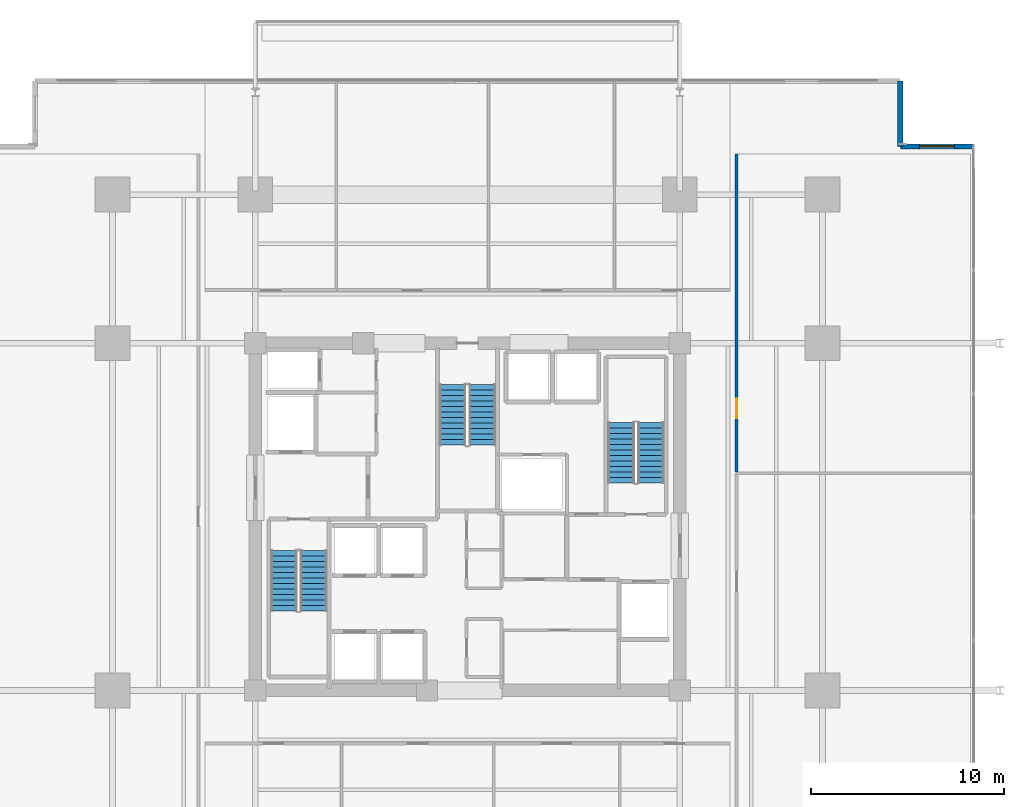
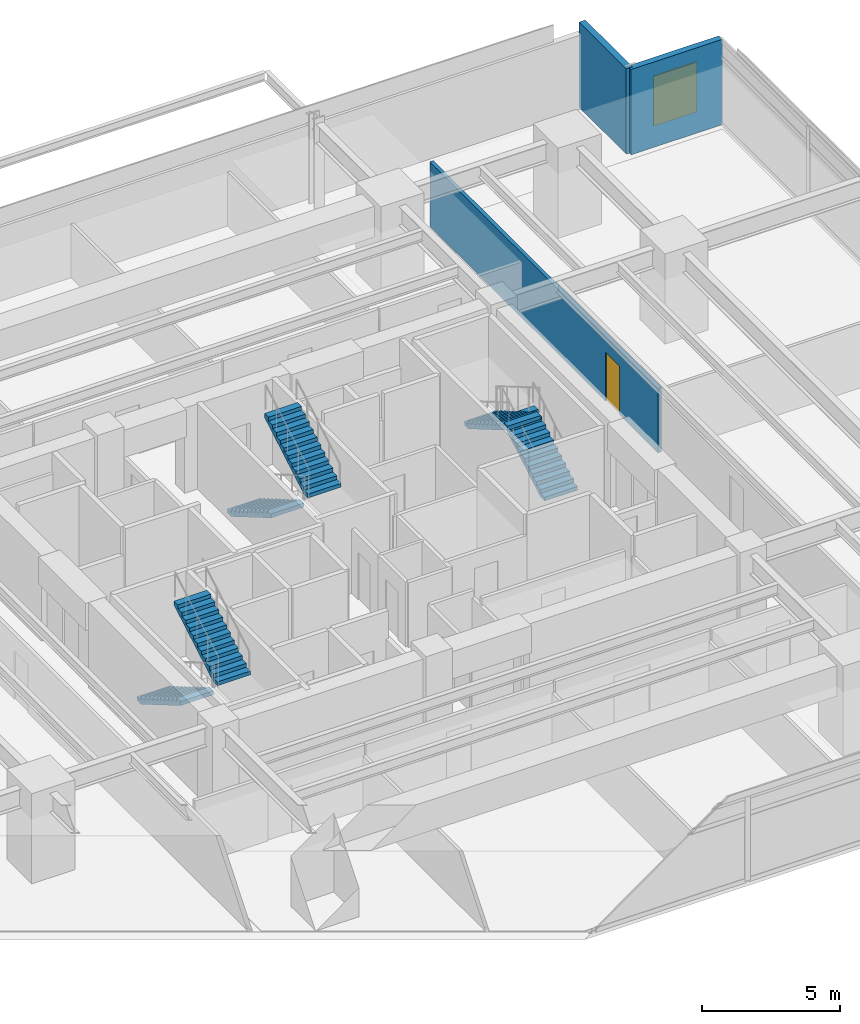
# One storey, part 18 of 22: 6 stair flights, 3 walls, 1 door, 1 window, 2 openings, 3 elements without a shape of their own.
"""IFC4 building model written with IfcOpenShell, lengths in metres."""

from ifc_helpers import new_model, si_unit, direction, frame, frame_2d, origin, place, context, subcontext, project, spatial, polyline, rectangle, outline, extrude, material, layer, layer_set, type_object, element, fill, aggregate, save


model = new_model("IFC4")

# Units and contexts
model_context = context("Model", 3, precision=1e-05, world=origin(), true_north=direction((0.0, 1.0)))
body_context = subcontext(model_context, "Body", "Model", "MODEL_VIEW")
ifc_project = project(units=[si_unit("LENGTHUNIT", "METRE"), si_unit("AREAUNIT", "SQUARE_METRE"), si_unit("VOLUMEUNIT", "CUBIC_METRE"), si_unit("PLANEANGLEUNIT", "RADIAN"), si_unit("MASSUNIT", "GRAM", prefix="KILO")], contexts=[model_context])

# Site, building, storey
site_placement = place(None, origin())
site = spatial("IfcSite", under=ifc_project, at=site_placement, CompositionType="ELEMENT")
building_placement = place(site_placement, origin())
building = spatial("IfcBuilding", under=site, at=building_placement, Name="Kovane Verandah Tower", CompositionType="ELEMENT")
storey_placement = place(building_placement, frame((0.0, 0.0, 79.60009765625)))
storey = spatial("IfcBuildingStorey", under=building, at=storey_placement, Name="L18", CompositionType="ELEMENT", Elevation=79.60009765625)

# Wall, opening, door
ifc_material_1 = material(Name="Fire-Rated Gypsum Stud Partition", Category="gypsum")
ifc_layer_1 = layer(ifc_material_1, 0.14990234375)
ifc_layer_set_1 = layer_set([ifc_layer_1], Name="Fire-Rated Gypsum Stud Partition")
wall_type_1 = type_object("IfcWallType", Name="WL-COR-150", PredefinedType="PARTITIONING", material=ifc_layer_set_1)
wall_1_placement = place(storey_placement, frame((53.949951171875, 29.825927734375, 0.0), z_axis=(0.0, 0.0, 1.0), x_axis=(0.0, 1.0, 0.0)))
wall_1 = element("IfcWall", 1, at=wall_1_placement, inside=storey, type_object=wall_type_1, Name="L18 Collaboration Hub E2 Corridor Partition", PredefinedType="PARTITIONING", context=body_context, shape_type="SweptSolid", body=[
    extrude(rectangle(XDim=16.47412109375, YDim=0.14990234375, at=frame_2d((8.237060546875, 0.0))), origin(), (0.0, 0.0, 1.0), 2.849853515625),
])
opening_1_placement = place(wall_1_placement, frame((2.787109375, 0.0, 0.0)))
opening_1 = element("IfcOpeningElement", 2, at=opening_1_placement, cuts=wall_1, Name="Opening DR-L18-013", PredefinedType="OPENING", context=body_context, shape_type="SweptSolid", body=[
    extrude(rectangle(XDim=1.0, YDim=2.14990234375, at=frame_2d((0.5, 1.074951171875))), frame((0.0, 0.074951171875, 0.0), z_axis=(0.0, -1.0, 0.0), x_axis=(1.0, 0.0, 0.0)), (0.0, 0.0, 1.0), 0.14990234375),
])
ifc_material_2 = material(Name="FSC Spotted-Gum Timber Fire-Rated Office Door", Category="wood")
door_type = type_object("IfcDoorType", Name="DR-OFF-1000", OperationType="SINGLE_SWING_LEFT", PredefinedType="DOOR", material=ifc_material_2)
door_placement = place(opening_1_placement, origin())
door = element("IfcDoor", 3, at=door_placement, inside=storey, type_object=door_type, Name="L18 Collaboration Hub E2 Entrance Door", OperationType="SINGLE_SWING_RIGHT", OverallHeight=2.14990234375, OverallWidth=1.0, PredefinedType="DOOR", context=body_context, shape_type="SweptSolid", body=[
    extrude(rectangle(XDim=1.0, YDim=2.14990234375, at=frame_2d((0.5, 1.074951171875))), frame((0.0, 0.02490234375, 0.0), z_axis=(0.0, -1.0, 0.0), x_axis=(1.0, 0.0, 0.0)), (0.0, 0.0, 1.0), 0.050048828125),
])
fill(opening_1, door)

# Wall, opening, window
ifc_material_3 = material(Name="Concrete C45/55 Insulated Spandrel Wall", Category="concrete")
ifc_layer_2 = layer(ifc_material_3, 0.260009765625)
ifc_layer_set_2 = layer_set([ifc_layer_2], Name="Concrete C45/55 Insulated Spandrel Wall")
wall_type_2 = type_object("IfcWallType", Name="WL-SPANDREL-260", PredefinedType="PARAPET", material=ifc_layer_set_2)
wall_2_placement = place(storey_placement, frame((66.228759765625, 46.7001953125, 0.0), z_axis=(0.0, 0.0, 1.0), x_axis=(-1.0, 0.0, 0.0)))
wall_2 = element("IfcWall", 4, at=wall_2_placement, inside=storey, type_object=wall_type_2, Name="L18 NE Notch Cheek Wall 1", PredefinedType="PARAPET", context=body_context, shape_type="SweptSolid", body=[
    extrude(rectangle(XDim=3.800048828125, YDim=0.260009765625, at=frame_2d((1.89990234375, 0.0))), origin(), (0.0, 0.0, 1.0), 3.760009765625),
])
opening_2_placement = place(wall_2_placement, frame((1.0, 0.0, 0.85009765625)))
opening_2 = element("IfcOpeningElement", 5, at=opening_2_placement, cuts=wall_2, Name="Opening W-03", PredefinedType="OPENING", context=body_context, shape_type="SweptSolid", body=[
    extrude(rectangle(XDim=1.800048828125, YDim=2.199951171875, at=frame_2d((0.89990234375, 1.10009765625))), frame((0.0, 0.1298828125, 0.0), z_axis=(0.0, -1.0, 0.0), x_axis=(1.0, 0.0, 0.0)), (0.0, 0.0, 1.0), 0.260009765625),
])
ifc_material_4 = material(Name="Clear Low-E Laminated Double Glazing in Anodised Frame", Category="glass")
window_type = type_object("IfcWindowType", Name="WN-NOTCH-1800x2200", PartitioningType="SINGLE_PANEL", PredefinedType="WINDOW", material=ifc_material_4)
window_placement = place(opening_2_placement, origin())
window = element("IfcWindow", 6, at=window_placement, inside=storey, type_object=window_type, Name="L18 NE Re-Entrant Corner Operable Window", OverallHeight=2.199951171875, OverallWidth=1.800048828125, PartitioningType="SINGLE_PANEL", PredefinedType="WINDOW", context=body_context, shape_type="SweptSolid", body=[
    extrude(rectangle(XDim=1.800048828125, YDim=2.199951171875, at=frame_2d((0.89990234375, 1.10009765625))), frame((0.0, 0.030029296875, 0.0), z_axis=(0.0, -1.0, 0.0), x_axis=(1.0, 0.0, 0.0)), (0.0, 0.0, 1.0), 0.06005859375),
])
fill(opening_2, window)

# Wall
wall_3_placement = place(storey_placement, frame((62.4287109375, 46.7001953125, 0.0), z_axis=(0.0, 0.0, 1.0), x_axis=(0.0, 1.0, 0.0)))
element("IfcWall", 7, at=wall_3_placement, inside=storey, type_object=wall_type_2, Name="L18 NE Notch Cheek Wall 2", PredefinedType="PARAPET", context=body_context, shape_type="SweptSolid", body=[
    extrude(rectangle(XDim=3.39990234375, YDim=0.260009765625, at=frame_2d((1.699951171875, 0.0))), origin(), (0.0, 0.0, 1.0), 3.760009765625),
])

# Stair, stair flights
ifc_material_5 = material(Name="Concrete C45/55", Category="concrete")
stair_type = type_object("IfcStairType", Name="ST-CORE-1380", PredefinedType="HALF_TURN_STAIR", material=ifc_material_5)
stair_1_placement = place(storey_placement, origin())
stair_1 = element("IfcStair", 8, at=stair_1_placement, inside=storey, type_object=stair_type, Name="L18 Exit Stair ST-01", PredefinedType="HALF_TURN_STAIR")
stair_flight_type = type_object("IfcStairFlightType", Name="STF-CORE-1380", PredefinedType="STRAIGHT", material=ifc_material_5)
stair_flight_1_placement = place(storey_placement, frame((30.489990234375, 25.75, 0.0), z_axis=(0.0, 0.0, 1.0), x_axis=(0.0, -1.0, 0.0)))
stair_flight_1 = element("IfcStairFlight", 9, at=stair_flight_1_placement, type_object=stair_flight_type, Name="ST-01 flight 1", NumberOfRisers=12, NumberOfTreads=11, PredefinedType="STRAIGHT", RiserHeight=0.166666667, TreadLength=0.285, context=body_context, shape_type="SweptSolid", body=[
    extrude(outline(polyline([(0.0, 0.0), (0.0, 0.166748046875), (0.284912109375, 0.166748046875), (0.284912109375, 0.333251953125), (0.570068359375, 0.333251953125), (0.570068359375, 0.5), (0.85498046875, 0.5), (0.85498046875, 0.666748046875), (1.139892578125, 0.666748046875), (1.139892578125, 0.833251953125), (1.425048828125, 0.833251953125), (1.425048828125, 1.0), (1.7099609375, 1.0), (1.7099609375, 1.166748046875), (1.9951171875, 1.166748046875), (1.9951171875, 1.333251953125), (2.280029296875, 1.333251953125), (2.280029296875, 1.5), (2.56494140625, 1.5), (2.56494140625, 1.666748046875), (2.85009765625, 1.666748046875), (2.85009765625, 1.833251953125), (3.135009765625, 1.833251953125), (3.135009765625, 2.0), (3.135009765625, 1.65966796875), (0.296875, 0.0), (0.0, 0.0)])), frame((0.0, 0.68994140625, 0.0), z_axis=(0.0, -1.0, 0.0), x_axis=(1.0, 0.0, 0.0)), (0.0, 0.0, 1.0), 1.3798828125),
])
stair_flight_2_placement = place(storey_placement, frame((32.030029296875, 22.614990234375, 2.0), z_axis=(0.0, 0.0, 1.0), x_axis=(0.0, 1.0, 0.0)))
stair_flight_2 = element("IfcStairFlight", 10, at=stair_flight_2_placement, type_object=stair_flight_type, Name="ST-01 flight 2", NumberOfRisers=12, NumberOfTreads=11, PredefinedType="STRAIGHT", RiserHeight=0.166666667, TreadLength=0.285, context=body_context, shape_type="SweptSolid", body=[
    extrude(outline(polyline([(0.0, 0.0), (0.0, 0.166748046875), (0.284912109375, 0.166748046875), (0.284912109375, 0.333251953125), (0.570068359375, 0.333251953125), (0.570068359375, 0.5), (0.85498046875, 0.5), (0.85498046875, 0.666748046875), (1.139892578125, 0.666748046875), (1.139892578125, 0.833251953125), (1.425048828125, 0.833251953125), (1.425048828125, 1.0), (1.7099609375, 1.0), (1.7099609375, 1.166748046875), (1.9951171875, 1.166748046875), (1.9951171875, 1.333251953125), (2.280029296875, 1.333251953125), (2.280029296875, 1.5), (2.56494140625, 1.5), (2.56494140625, 1.666748046875), (2.85009765625, 1.666748046875), (2.85009765625, 1.833251953125), (3.135009765625, 1.833251953125), (3.135009765625, 2.0), (3.135009765625, 1.65966796875), (0.296875, 0.0), (0.0, 0.0)])), frame((0.0, 0.68994140625, 0.0), z_axis=(0.0, -1.0, 0.0), x_axis=(1.0, 0.0, 0.0)), (0.0, 0.0, 1.0), 1.3798828125),
])
aggregate(stair_1, [stair_flight_1, stair_flight_2])

stair_2_placement = place(storey_placement, origin())
stair_2 = element("IfcStair", 11, at=stair_2_placement, inside=storey, type_object=stair_type, Name="L18 Exit Stair ST-02", PredefinedType="HALF_TURN_STAIR")
stair_flight_3_placement = place(storey_placement, frame((49.510009765625, 29.25, 0.0), z_axis=(0.0, 0.0, 1.0), x_axis=(0.0, 1.0, 0.0)))
stair_flight_3 = element("IfcStairFlight", 12, at=stair_flight_3_placement, type_object=stair_flight_type, Name="ST-02 flight 1", NumberOfRisers=12, NumberOfTreads=11, PredefinedType="STRAIGHT", RiserHeight=0.166666667, TreadLength=0.285, context=body_context, shape_type="SweptSolid", body=[
    extrude(outline(polyline([(0.0, 0.0), (0.0, 0.166748046875), (0.284912109375, 0.166748046875), (0.284912109375, 0.333251953125), (0.570068359375, 0.333251953125), (0.570068359375, 0.5), (0.85498046875, 0.5), (0.85498046875, 0.666748046875), (1.139892578125, 0.666748046875), (1.139892578125, 0.833251953125), (1.425048828125, 0.833251953125), (1.425048828125, 1.0), (1.7099609375, 1.0), (1.7099609375, 1.166748046875), (1.9951171875, 1.166748046875), (1.9951171875, 1.333251953125), (2.280029296875, 1.333251953125), (2.280029296875, 1.5), (2.56494140625, 1.5), (2.56494140625, 1.666748046875), (2.85009765625, 1.666748046875), (2.85009765625, 1.833251953125), (3.135009765625, 1.833251953125), (3.135009765625, 2.0), (3.135009765625, 1.65966796875), (0.296875, 0.0), (0.0, 0.0)])), frame((0.0, 0.68994140625, 0.0), z_axis=(0.0, -1.0, 0.0), x_axis=(1.0, 0.0, 0.0)), (0.0, 0.0, 1.0), 1.3798828125),
])
stair_flight_4_placement = place(storey_placement, frame((47.969970703125, 32.385009765625, 2.0), z_axis=(0.0, 0.0, 1.0), x_axis=(0.0, -1.0, 0.0)))
stair_flight_4 = element("IfcStairFlight", 13, at=stair_flight_4_placement, type_object=stair_flight_type, Name="ST-02 flight 2", NumberOfRisers=12, NumberOfTreads=11, PredefinedType="STRAIGHT", RiserHeight=0.166666667, TreadLength=0.285, context=body_context, shape_type="SweptSolid", body=[
    extrude(outline(polyline([(0.0, 0.0), (0.0, 0.166748046875), (0.284912109375, 0.166748046875), (0.284912109375, 0.333251953125), (0.570068359375, 0.333251953125), (0.570068359375, 0.5), (0.85498046875, 0.5), (0.85498046875, 0.666748046875), (1.139892578125, 0.666748046875), (1.139892578125, 0.833251953125), (1.425048828125, 0.833251953125), (1.425048828125, 1.0), (1.7099609375, 1.0), (1.7099609375, 1.166748046875), (1.9951171875, 1.166748046875), (1.9951171875, 1.333251953125), (2.280029296875, 1.333251953125), (2.280029296875, 1.5), (2.56494140625, 1.5), (2.56494140625, 1.666748046875), (2.85009765625, 1.666748046875), (2.85009765625, 1.833251953125), (3.135009765625, 1.833251953125), (3.135009765625, 2.0), (3.135009765625, 1.65966796875), (0.296875, 0.0), (0.0, 0.0)])), frame((0.0, 0.68994140625, 0.0), z_axis=(0.0, -1.0, 0.0), x_axis=(1.0, 0.0, 0.0)), (0.0, 0.0, 1.0), 1.3798828125),
])
aggregate(stair_2, [stair_flight_3, stair_flight_4])

stair_3_placement = place(storey_placement, origin())
stair_3 = element("IfcStair", 14, at=stair_3_placement, inside=storey, type_object=stair_type, Name="L18 Exit Stair ST-03", PredefinedType="HALF_TURN_STAIR")
stair_flight_5_placement = place(storey_placement, frame((39.22998046875, 34.35009765625, 0.0), z_axis=(0.0, 0.0, 1.0), x_axis=(0.0, -1.0, 0.0)))
stair_flight_5 = element("IfcStairFlight", 15, at=stair_flight_5_placement, type_object=stair_flight_type, Name="ST-03 flight 1", NumberOfRisers=12, NumberOfTreads=11, PredefinedType="STRAIGHT", RiserHeight=0.166666667, TreadLength=0.285, context=body_context, shape_type="SweptSolid", body=[
    extrude(outline(polyline([(0.0, 0.0), (0.0, 0.166748046875), (0.284912109375, 0.166748046875), (0.284912109375, 0.333251953125), (0.570068359375, 0.333251953125), (0.570068359375, 0.5), (0.85498046875, 0.5), (0.85498046875, 0.666748046875), (1.139892578125, 0.666748046875), (1.139892578125, 0.833251953125), (1.425048828125, 0.833251953125), (1.425048828125, 1.0), (1.7099609375, 1.0), (1.7099609375, 1.166748046875), (1.9951171875, 1.166748046875), (1.9951171875, 1.333251953125), (2.280029296875, 1.333251953125), (2.280029296875, 1.5), (2.56494140625, 1.5), (2.56494140625, 1.666748046875), (2.85009765625, 1.666748046875), (2.85009765625, 1.833251953125), (3.135009765625, 1.833251953125), (3.135009765625, 2.0), (3.135009765625, 1.65966796875), (0.296875, 0.0), (0.0, 0.0)])), frame((0.0, 0.68994140625, 0.0), z_axis=(0.0, -1.0, 0.0), x_axis=(1.0, 0.0, 0.0)), (0.0, 0.0, 1.0), 1.3798828125),
])
stair_flight_6_placement = place(storey_placement, frame((40.77001953125, 31.215087890625, 2.0), z_axis=(0.0, 0.0, 1.0), x_axis=(0.0, 1.0, 0.0)))
stair_flight_6 = element("IfcStairFlight", 16, at=stair_flight_6_placement, type_object=stair_flight_type, Name="ST-03 flight 2", NumberOfRisers=12, NumberOfTreads=11, PredefinedType="STRAIGHT", RiserHeight=0.166666667, TreadLength=0.285, context=body_context, shape_type="SweptSolid", body=[
    extrude(outline(polyline([(0.0, 0.0), (0.0, 0.166748046875), (0.284912109375, 0.166748046875), (0.284912109375, 0.333251953125), (0.570068359375, 0.333251953125), (0.570068359375, 0.5), (0.85498046875, 0.5), (0.85498046875, 0.666748046875), (1.139892578125, 0.666748046875), (1.139892578125, 0.833251953125), (1.425048828125, 0.833251953125), (1.425048828125, 1.0), (1.7099609375, 1.0), (1.7099609375, 1.166748046875), (1.9951171875, 1.166748046875), (1.9951171875, 1.333251953125), (2.280029296875, 1.333251953125), (2.280029296875, 1.5), (2.56494140625, 1.5), (2.56494140625, 1.666748046875), (2.85009765625, 1.666748046875), (2.85009765625, 1.833251953125), (3.135009765625, 1.833251953125), (3.135009765625, 2.0), (3.135009765625, 1.65966796875), (0.296875, 0.0), (0.0, 0.0)])), frame((0.0, 0.68994140625, 0.0), z_axis=(0.0, -1.0, 0.0), x_axis=(1.0, 0.0, 0.0)), (0.0, 0.0, 1.0), 1.3798828125),
])
aggregate(stair_3, [stair_flight_5, stair_flight_6])

save(model, "model.ifc")
